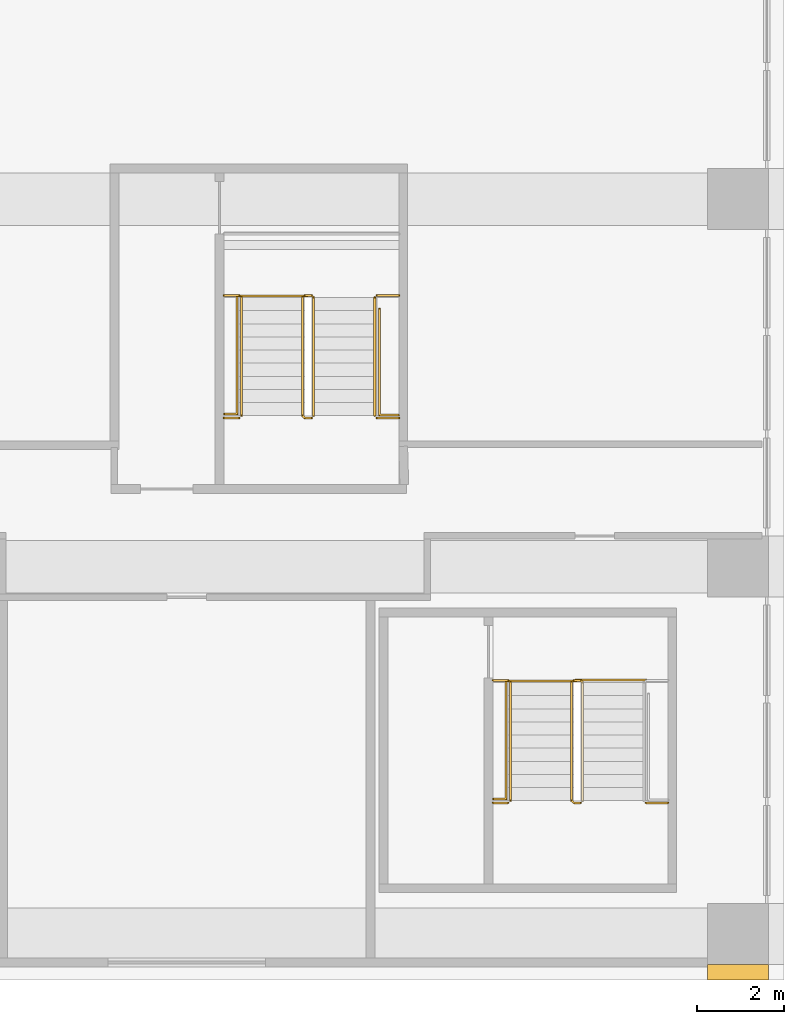
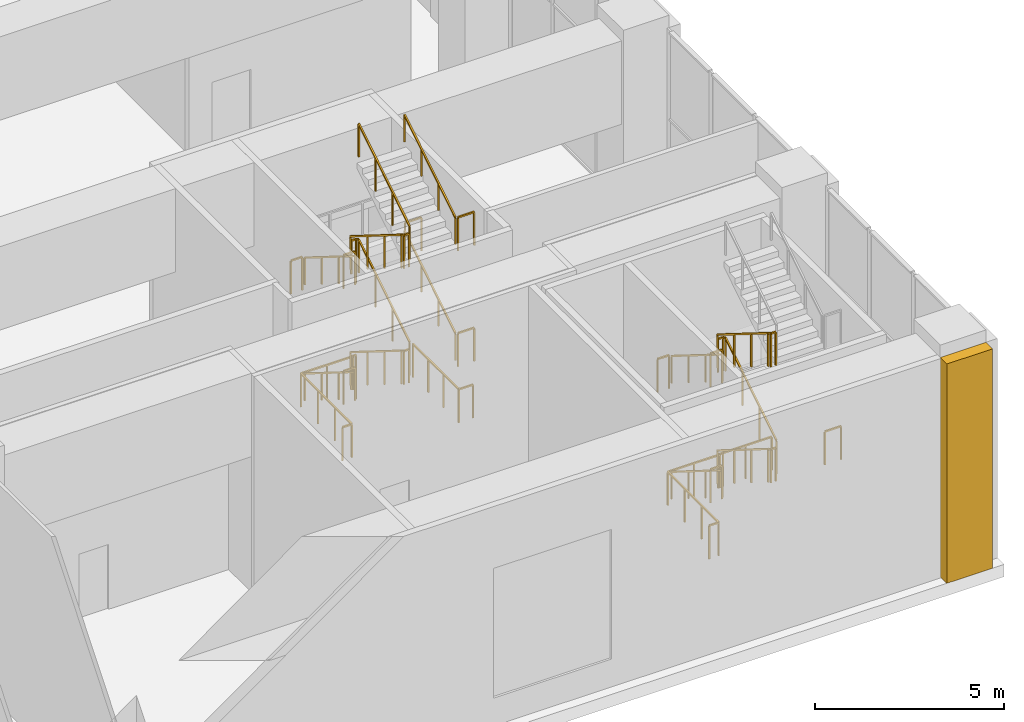
# One storey, part 26 of 29: 28 railings, 1 covering.
"""IFC4 building model written with IfcOpenShell, lengths in metres."""

from ifc_helpers import new_model, si_unit, direction, frame, origin, origin_2d, place, context, subcontext, project, spatial, polyline, rectangle, outline, extrude, material, type_object, element, save


model = new_model("IFC4")

# Units and contexts
model_context = context("Model", 3, precision=1e-05, world=origin(), true_north=direction((0.0, 1.0)))
body_context = subcontext(model_context, "Body", "Model", "MODEL_VIEW")
ifc_project = project(units=[si_unit("LENGTHUNIT", "METRE"), si_unit("AREAUNIT", "SQUARE_METRE"), si_unit("VOLUMEUNIT", "CUBIC_METRE"), si_unit("PLANEANGLEUNIT", "RADIAN"), si_unit("MASSUNIT", "GRAM", prefix="KILO")], contexts=[model_context])

# Site, building, storey
site_placement = place(None, origin())
site = spatial("IfcSite", under=ifc_project, at=site_placement, CompositionType="ELEMENT")
building_placement = place(site_placement, origin())
building = spatial("IfcBuilding", under=site, at=building_placement, Name="Vermilion Ogive Tower", CompositionType="ELEMENT")
storey_placement = place(building_placement, frame((0.0, 0.0, 12.5)))
storey = spatial("IfcBuildingStorey", under=building, at=storey_placement, Name="L02", CompositionType="ELEMENT", Elevation=12.5)

# Railings
ifc_material_1 = material(Name="Steel S355 painted", Category="steel")
railing_type_1 = type_object("IfcRailingType", Name="Stair guard 1100", PredefinedType="GUARDRAIL", material=ifc_material_1)
railing_1_placement = place(storey_placement, frame((40.449951171875, -14.85009765625, 0.1875)))
element("IfcRailing", 1, at=railing_1_placement, inside=storey, type_object=railing_type_1, Name="L02 PS6 stair guard 1", PredefinedType="GUARDRAIL", context=body_context, shape_type="SweptSolid", body=[
    extrude(rectangle(XDim=0.048095703125, YDim=0.048095703125, at=origin_2d()), frame((0.0, 0.0, 1.076171875), z_axis=(0.0, -0.847993996163, 0.530005832488), x_axis=(1.0, 0.0, 0.0)), (0.0, 0.0, 1.0), 3.183837890625),
    extrude(rectangle(XDim=0.048095703125, YDim=0.048095703125, at=origin_2d()), frame((0.0, -2.699951171875, 2.763671875), z_axis=(0.707106781187, -0.707106781187, 0.0), x_axis=(0.707106781187, 0.707106781187, 0.0)), (0.0, 0.0, 1.0), 0.07080078125),
    extrude(rectangle(XDim=0.048095703125, YDim=0.048095703125, at=origin_2d()), frame((0.050048828125, -2.75, 2.763671875), z_axis=(1.0, 0.0, 0.0), x_axis=(0.0, 1.0, 0.0)), (0.0, 0.0, 1.0), 0.14990234375),
    extrude(rectangle(XDim=0.0419921875, YDim=0.0419921875, at=origin_2d()), origin(), (0.0, 0.0, 1.0), 1.052001953125),
    extrude(rectangle(XDim=0.0419921875, YDim=0.0419921875, at=origin_2d()), frame((0.0, -0.89990234375, 0.5625)), (0.0, 0.0, 1.0), 1.052001953125),
    extrude(rectangle(XDim=0.0419921875, YDim=0.0419921875, at=origin_2d()), frame((0.0, -1.800048828125, 1.125)), (0.0, 0.0, 1.0), 1.052001953125),
    extrude(rectangle(XDim=0.0419921875, YDim=0.0419921875, at=origin_2d()), frame((0.0, -2.699951171875, 1.6875)), (0.0, 0.0, 1.0), 1.052001953125),
    extrude(rectangle(XDim=0.0419921875, YDim=0.0419921875, at=origin_2d()), frame((0.050048828125, -2.75, 1.6875)), (0.0, 0.0, 1.0), 1.052001953125),
    extrude(rectangle(XDim=0.0419921875, YDim=0.0419921875, at=origin_2d()), frame((0.199951171875, -2.75, 1.6875)), (0.0, 0.0, 1.0), 1.052001953125),
])
railing_2_placement = place(storey_placement, frame((40.699951171875, -17.550048828125, 2.0625)))
element("IfcRailing", 2, at=railing_2_placement, inside=storey, type_object=railing_type_1, Name="L02 PS6 stair guard 3", PredefinedType="GUARDRAIL", context=body_context, shape_type="SweptSolid", body=[
    extrude(rectangle(XDim=0.048095703125, YDim=0.048095703125, at=origin_2d()), frame((0.0, 0.0, 1.076171875), z_axis=(0.0, 0.847993996163, 0.530005832488), x_axis=(-1.0, 0.0, 0.0)), (0.0, 0.0, 1.0), 3.183837890625),
    extrude(rectangle(XDim=0.048095703125, YDim=0.048095703125, at=origin_2d()), frame((0.0, 2.699951171875, 2.763671875), z_axis=(-0.707106781187, 0.707106781187, 0.0), x_axis=(-0.707106781187, -0.707106781187, 0.0)), (0.0, 0.0, 1.0), 0.07080078125),
    extrude(rectangle(XDim=0.048095703125, YDim=0.048095703125, at=origin_2d()), frame((-0.050048828125, 2.75, 2.763671875), z_axis=(-1.0, 0.0, 0.0), x_axis=(0.0, -1.0, 0.0)), (0.0, 0.0, 1.0), 0.14990234375),
    extrude(rectangle(XDim=0.0419921875, YDim=0.0419921875, at=origin_2d()), origin(), (0.0, 0.0, 1.0), 1.052001953125),
    extrude(rectangle(XDim=0.0419921875, YDim=0.0419921875, at=origin_2d()), frame((0.0, 0.89990234375, 0.5625)), (0.0, 0.0, 1.0), 1.052001953125),
    extrude(rectangle(XDim=0.0419921875, YDim=0.0419921875, at=origin_2d()), frame((0.0, 1.800048828125, 1.125)), (0.0, 0.0, 1.0), 1.052001953125),
    extrude(rectangle(XDim=0.0419921875, YDim=0.0419921875, at=origin_2d()), frame((0.0, 2.699951171875, 1.6875)), (0.0, 0.0, 1.0), 1.052001953125),
    extrude(rectangle(XDim=0.0419921875, YDim=0.0419921875, at=origin_2d()), frame((-0.050048828125, 2.75, 1.6875)), (0.0, 0.0, 1.0), 1.052001953125),
    extrude(rectangle(XDim=0.0419921875, YDim=0.0419921875, at=origin_2d()), frame((-0.199951171875, 2.75, 1.6875)), (0.0, 0.0, 1.0), 1.052001953125),
])
railing_3_placement = place(storey_placement, frame((40.449951171875, -14.85009765625, 3.9375)))
element("IfcRailing", 3, at=railing_3_placement, inside=storey, type_object=railing_type_1, Name="L02 PS6 stair guard 5", PredefinedType="GUARDRAIL", context=body_context, shape_type="SweptSolid", body=[
    extrude(rectangle(XDim=0.048095703125, YDim=0.048095703125, at=origin_2d()), frame((0.0, 0.0, 1.076171875), z_axis=(0.0, -0.847993996163, 0.530005832488), x_axis=(1.0, 0.0, 0.0)), (0.0, 0.0, 1.0), 3.183837890625),
    extrude(rectangle(XDim=0.048095703125, YDim=0.048095703125, at=origin_2d()), frame((0.0, -2.699951171875, 2.763671875), z_axis=(0.707106781187, -0.707106781187, 0.0), x_axis=(0.707106781187, 0.707106781187, 0.0)), (0.0, 0.0, 1.0), 0.07080078125),
    extrude(rectangle(XDim=0.048095703125, YDim=0.048095703125, at=origin_2d()), frame((0.050048828125, -2.75, 2.763671875), z_axis=(1.0, 0.0, 0.0), x_axis=(0.0, 1.0, 0.0)), (0.0, 0.0, 1.0), 0.14990234375),
    extrude(rectangle(XDim=0.0419921875, YDim=0.0419921875, at=origin_2d()), origin(), (0.0, 0.0, 1.0), 1.052001953125),
    extrude(rectangle(XDim=0.0419921875, YDim=0.0419921875, at=origin_2d()), frame((0.0, -0.89990234375, 0.5625)), (0.0, 0.0, 1.0), 1.052001953125),
    extrude(rectangle(XDim=0.0419921875, YDim=0.0419921875, at=origin_2d()), frame((0.0, -1.800048828125, 1.125)), (0.0, 0.0, 1.0), 1.052001953125),
    extrude(rectangle(XDim=0.0419921875, YDim=0.0419921875, at=origin_2d()), frame((0.0, -2.699951171875, 1.6875)), (0.0, 0.0, 1.0), 1.052001953125),
    extrude(rectangle(XDim=0.0419921875, YDim=0.0419921875, at=origin_2d()), frame((0.050048828125, -2.75, 1.6875)), (0.0, 0.0, 1.0), 1.052001953125),
    extrude(rectangle(XDim=0.0419921875, YDim=0.0419921875, at=origin_2d()), frame((0.199951171875, -2.75, 1.6875)), (0.0, 0.0, 1.0), 1.052001953125),
])
railing_4_placement = place(storey_placement, frame((40.699951171875, -17.550048828125, 5.8125)))
element("IfcRailing", 4, at=railing_4_placement, inside=storey, type_object=railing_type_1, Name="L02 PS6 stair guard 7", PredefinedType="GUARDRAIL", context=body_context, shape_type="SweptSolid", body=[
    extrude(rectangle(XDim=0.048095703125, YDim=0.048095703125, at=origin_2d()), frame((0.0, 0.0, 1.076171875), z_axis=(0.0, 0.847993996163, 0.530005832488), x_axis=(-1.0, 0.0, 0.0)), (0.0, 0.0, 1.0), 3.183837890625),
    extrude(rectangle(XDim=0.0419921875, YDim=0.0419921875, at=origin_2d()), origin(), (0.0, 0.0, 1.0), 1.052001953125),
    extrude(rectangle(XDim=0.0419921875, YDim=0.0419921875, at=origin_2d()), frame((0.0, 0.89990234375, 0.5625)), (0.0, 0.0, 1.0), 1.052001953125),
    extrude(rectangle(XDim=0.0419921875, YDim=0.0419921875, at=origin_2d()), frame((0.0, 1.800048828125, 1.125)), (0.0, 0.0, 1.0), 1.052001953125),
    extrude(rectangle(XDim=0.0419921875, YDim=0.0419921875, at=origin_2d()), frame((0.0, 2.699951171875, 1.6875)), (0.0, 0.0, 1.0), 1.052001953125),
])
railing_5_placement = place(storey_placement, frame((40.5, -14.800048828125, 0.0)))
element("IfcRailing", 5, at=railing_5_placement, inside=storey, type_object=railing_type_1, Name="L02 PS6 stair guard 8", PredefinedType="GUARDRAIL", context=body_context, shape_type="SweptSolid", body=[
    extrude(rectangle(XDim=0.048095703125, YDim=0.048095703125, at=origin_2d()), frame((0.0, 0.0, 1.076171875), z_axis=(1.0, 0.0, 0.0), x_axis=(0.0, 1.0, 0.0)), (0.0, 0.0, 1.0), 0.14990234375),
    extrude(rectangle(XDim=0.0419921875, YDim=0.0419921875, at=origin_2d()), origin(), (0.0, 0.0, 1.0), 1.052001953125),
    extrude(rectangle(XDim=0.0419921875, YDim=0.0419921875, at=origin_2d()), frame((0.14990234375, 0.0, 0.0)), (0.0, 0.0, 1.0), 1.052001953125),
])
railing_6_placement = place(storey_placement, frame((46.60009765625, -23.64990234375, 0.1875)))
element("IfcRailing", 6, at=railing_6_placement, inside=storey, type_object=railing_type_1, Name="L02 PES stair guard 1", PredefinedType="GUARDRAIL", context=body_context, shape_type="SweptSolid", body=[
    extrude(rectangle(XDim=0.048095703125, YDim=0.048095703125, at=origin_2d()), frame((0.0, 0.0, 1.076171875), z_axis=(0.0, -0.848015533692, 0.529971371508), x_axis=(1.0, 0.0, 0.0)), (0.0, 0.0, 1.0), 3.18408203125),
    extrude(rectangle(XDim=0.048095703125, YDim=0.048095703125, at=origin_2d()), frame((0.0, -2.7001953125, 2.763671875), z_axis=(0.707106781187, -0.707106781187, 0.0), x_axis=(0.707106781187, 0.707106781187, 0.0)), (0.0, 0.0, 1.0), 0.0703125),
    extrude(rectangle(XDim=0.048095703125, YDim=0.048095703125, at=origin_2d()), frame((0.0498046875, -2.75, 2.763671875), z_axis=(1.0, 0.0, 0.0), x_axis=(0.0, 1.0, 0.0)), (0.0, 0.0, 1.0), 0.150146484375),
    extrude(rectangle(XDim=0.0419921875, YDim=0.0419921875, at=origin_2d()), origin(), (0.0, 0.0, 1.0), 1.052001953125),
    extrude(rectangle(XDim=0.0419921875, YDim=0.0419921875, at=origin_2d()), frame((0.0, -0.900146484375, 0.5625)), (0.0, 0.0, 1.0), 1.052001953125),
    extrude(rectangle(XDim=0.0419921875, YDim=0.0419921875, at=origin_2d()), frame((0.0, -1.800048828125, 1.125)), (0.0, 0.0, 1.0), 1.052001953125),
    extrude(rectangle(XDim=0.0419921875, YDim=0.0419921875, at=origin_2d()), frame((0.0, -2.7001953125, 1.6875)), (0.0, 0.0, 1.0), 1.052001953125),
    extrude(rectangle(XDim=0.0419921875, YDim=0.0419921875, at=origin_2d()), frame((0.0498046875, -2.75, 1.6875)), (0.0, 0.0, 1.0), 1.052001953125),
    extrude(rectangle(XDim=0.0419921875, YDim=0.0419921875, at=origin_2d()), frame((0.199951171875, -2.75, 1.6875)), (0.0, 0.0, 1.0), 1.052001953125),
])
railing_7_placement = place(storey_placement, frame((46.85009765625, -26.35009765625, 2.0625)))
element("IfcRailing", 7, at=railing_7_placement, inside=storey, type_object=railing_type_1, Name="L02 PES stair guard 3", PredefinedType="GUARDRAIL", context=body_context, shape_type="SweptSolid", body=[
    extrude(rectangle(XDim=0.048095703125, YDim=0.048095703125, at=origin_2d()), frame((0.0, 0.0, 1.076171875), z_axis=(0.0, 0.848015533692, 0.529971371508), x_axis=(-1.0, 0.0, 0.0)), (0.0, 0.0, 1.0), 3.18408203125),
    extrude(rectangle(XDim=0.048095703125, YDim=0.048095703125, at=origin_2d()), frame((0.0, 2.7001953125, 2.763671875), z_axis=(-0.708833529934, 0.705375805398, 0.0), x_axis=(-0.705375805398, -0.708833529934, 0.0)), (0.0, 0.0, 1.0), 0.070556640625),
    extrude(rectangle(XDim=0.048095703125, YDim=0.048095703125, at=origin_2d()), frame((-0.050048828125, 2.75, 2.763671875), z_axis=(-1.0, 0.0, 0.0), x_axis=(0.0, -1.0, 0.0)), (0.0, 0.0, 1.0), 0.150146484375),
    extrude(rectangle(XDim=0.0419921875, YDim=0.0419921875, at=origin_2d()), origin(), (0.0, 0.0, 1.0), 1.052001953125),
    extrude(rectangle(XDim=0.0419921875, YDim=0.0419921875, at=origin_2d()), frame((0.0, 0.900146484375, 0.5625)), (0.0, 0.0, 1.0), 1.052001953125),
    extrude(rectangle(XDim=0.0419921875, YDim=0.0419921875, at=origin_2d()), frame((0.0, 1.800048828125, 1.125)), (0.0, 0.0, 1.0), 1.052001953125),
    extrude(rectangle(XDim=0.0419921875, YDim=0.0419921875, at=origin_2d()), frame((0.0, 2.7001953125, 1.6875)), (0.0, 0.0, 1.0), 1.052001953125),
    extrude(rectangle(XDim=0.0419921875, YDim=0.0419921875, at=origin_2d()), frame((-0.050048828125, 2.75, 1.6875)), (0.0, 0.0, 1.0), 1.052001953125),
    extrude(rectangle(XDim=0.0419921875, YDim=0.0419921875, at=origin_2d()), frame((-0.2001953125, 2.75, 1.6875)), (0.0, 0.0, 1.0), 1.052001953125),
])
railing_8_placement = place(storey_placement, frame((46.60009765625, -23.64990234375, 3.9375)))
element("IfcRailing", 8, at=railing_8_placement, inside=storey, type_object=railing_type_1, Name="L02 PES stair guard 5", PredefinedType="GUARDRAIL", context=body_context, shape_type="SweptSolid", body=[
    extrude(rectangle(XDim=0.048095703125, YDim=0.048095703125, at=origin_2d()), frame((0.0, 0.0, 1.076171875), z_axis=(0.0, -0.848015533692, 0.529971371508), x_axis=(1.0, 0.0, 0.0)), (0.0, 0.0, 1.0), 3.18408203125),
    extrude(rectangle(XDim=0.048095703125, YDim=0.048095703125, at=origin_2d()), frame((0.0, -2.7001953125, 2.763671875), z_axis=(0.707106781187, -0.707106781187, 0.0), x_axis=(0.707106781187, 0.707106781187, 0.0)), (0.0, 0.0, 1.0), 0.0703125),
    extrude(rectangle(XDim=0.048095703125, YDim=0.048095703125, at=origin_2d()), frame((0.0498046875, -2.75, 2.763671875), z_axis=(1.0, 0.0, 0.0), x_axis=(0.0, 1.0, 0.0)), (0.0, 0.0, 1.0), 0.150146484375),
    extrude(rectangle(XDim=0.0419921875, YDim=0.0419921875, at=origin_2d()), origin(), (0.0, 0.0, 1.0), 1.052001953125),
    extrude(rectangle(XDim=0.0419921875, YDim=0.0419921875, at=origin_2d()), frame((0.0, -0.900146484375, 0.5625)), (0.0, 0.0, 1.0), 1.052001953125),
    extrude(rectangle(XDim=0.0419921875, YDim=0.0419921875, at=origin_2d()), frame((0.0, -1.800048828125, 1.125)), (0.0, 0.0, 1.0), 1.052001953125),
    extrude(rectangle(XDim=0.0419921875, YDim=0.0419921875, at=origin_2d()), frame((0.0, -2.7001953125, 1.6875)), (0.0, 0.0, 1.0), 1.052001953125),
    extrude(rectangle(XDim=0.0419921875, YDim=0.0419921875, at=origin_2d()), frame((0.0498046875, -2.75, 1.6875)), (0.0, 0.0, 1.0), 1.052001953125),
    extrude(rectangle(XDim=0.0419921875, YDim=0.0419921875, at=origin_2d()), frame((0.199951171875, -2.75, 1.6875)), (0.0, 0.0, 1.0), 1.052001953125),
])
railing_9_placement = place(storey_placement, frame((46.64990234375, -23.60009765625, 0.0)))
element("IfcRailing", 9, at=railing_9_placement, inside=storey, type_object=railing_type_1, Name="L02 PES stair guard 8", PredefinedType="GUARDRAIL", context=body_context, shape_type="SweptSolid", body=[
    extrude(rectangle(XDim=0.048095703125, YDim=0.048095703125, at=origin_2d()), frame((0.0, 0.0, 1.076171875), z_axis=(1.0, 0.0, 0.0), x_axis=(0.0, 1.0, 0.0)), (0.0, 0.0, 1.0), 0.150146484375),
    extrude(rectangle(XDim=0.0419921875, YDim=0.0419921875, at=origin_2d()), origin(), (0.0, 0.0, 1.0), 1.052001953125),
    extrude(rectangle(XDim=0.0419921875, YDim=0.0419921875, at=origin_2d()), frame((0.150146484375, 0.0, 0.0)), (0.0, 0.0, 1.0), 1.052001953125),
])
railing_10_placement = place(storey_placement, frame((38.650146484375, -17.60009765625, 1.875)))
element("IfcRailing", 10, at=railing_10_placement, inside=storey, type_object=railing_type_1, Name="L02 landing guard", PredefinedType="GUARDRAIL", context=body_context, shape_type="SweptSolid", body=[
    extrude(rectangle(XDim=0.048095703125, YDim=0.048095703125, at=origin_2d()), frame((0.0, 0.0, 1.076171875), z_axis=(1.0, 0.0, 0.0), x_axis=(0.0, 1.0, 0.0)), (0.0, 0.0, 1.0), 0.349853515625),
    extrude(rectangle(XDim=0.0419921875, YDim=0.0419921875, at=origin_2d()), origin(), (0.0, 0.0, 1.0), 1.052001953125),
    extrude(rectangle(XDim=0.0419921875, YDim=0.0419921875, at=origin_2d()), frame((0.349853515625, 0.0, 0.0)), (0.0, 0.0, 1.0), 1.052001953125),
])
railing_11_placement = place(storey_placement, frame((42.14990234375, -17.60009765625, 1.875)))
element("IfcRailing", 11, at=railing_11_placement, inside=storey, type_object=railing_type_1, Name="L02 landing guard", PredefinedType="GUARDRAIL", context=body_context, shape_type="SweptSolid", body=[
    extrude(rectangle(XDim=0.048095703125, YDim=0.048095703125, at=origin_2d()), frame((0.0, 0.0, 1.076171875), z_axis=(1.0, 0.0, 0.0), x_axis=(0.0, 1.0, 0.0)), (0.0, 0.0, 1.0), 0.5),
    extrude(rectangle(XDim=0.0419921875, YDim=0.0419921875, at=origin_2d()), origin(), (0.0, 0.0, 1.0), 1.052001953125),
    extrude(rectangle(XDim=0.0419921875, YDim=0.0419921875, at=origin_2d()), frame((0.5, 0.0, 0.0)), (0.0, 0.0, 1.0), 1.052001953125),
])
railing_12_placement = place(storey_placement, frame((38.650146484375, -14.800048828125, 3.75)))
element("IfcRailing", 12, at=railing_12_placement, inside=storey, type_object=railing_type_1, Name="L02 landing guard", PredefinedType="GUARDRAIL", context=body_context, shape_type="SweptSolid", body=[
    extrude(rectangle(XDim=0.048095703125, YDim=0.048095703125, at=origin_2d()), frame((0.0, 0.0, 1.076171875), z_axis=(1.0, 0.0, 0.0), x_axis=(0.0, 1.0, 0.0)), (0.0, 0.0, 1.0), 0.349853515625),
    extrude(rectangle(XDim=0.0419921875, YDim=0.0419921875, at=origin_2d()), origin(), (0.0, 0.0, 1.0), 1.052001953125),
    extrude(rectangle(XDim=0.0419921875, YDim=0.0419921875, at=origin_2d()), frame((0.349853515625, 0.0, 0.0)), (0.0, 0.0, 1.0), 1.052001953125),
])
railing_13_placement = place(storey_placement, frame((42.14990234375, -14.800048828125, 3.75)))
element("IfcRailing", 13, at=railing_13_placement, inside=storey, type_object=railing_type_1, Name="L02 landing guard", PredefinedType="GUARDRAIL", context=body_context, shape_type="SweptSolid", body=[
    extrude(rectangle(XDim=0.048095703125, YDim=0.048095703125, at=origin_2d()), frame((0.0, 0.0, 1.076171875), z_axis=(1.0, 0.0, 0.0), x_axis=(0.0, 1.0, 0.0)), (0.0, 0.0, 1.0), 0.5),
    extrude(rectangle(XDim=0.0419921875, YDim=0.0419921875, at=origin_2d()), origin(), (0.0, 0.0, 1.0), 1.052001953125),
    extrude(rectangle(XDim=0.0419921875, YDim=0.0419921875, at=origin_2d()), frame((0.5, 0.0, 0.0)), (0.0, 0.0, 1.0), 1.052001953125),
])
railing_14_placement = place(storey_placement, frame((38.650146484375, -17.60009765625, 5.625)))
element("IfcRailing", 14, at=railing_14_placement, inside=storey, type_object=railing_type_1, Name="L02 landing guard", PredefinedType="GUARDRAIL", context=body_context, shape_type="SweptSolid", body=[
    extrude(rectangle(XDim=0.048095703125, YDim=0.048095703125, at=origin_2d()), frame((0.0, 0.0, 1.076171875), z_axis=(1.0, 0.0, 0.0), x_axis=(0.0, 1.0, 0.0)), (0.0, 0.0, 1.0), 0.349853515625),
    extrude(rectangle(XDim=0.0419921875, YDim=0.0419921875, at=origin_2d()), origin(), (0.0, 0.0, 1.0), 1.052001953125),
    extrude(rectangle(XDim=0.0419921875, YDim=0.0419921875, at=origin_2d()), frame((0.349853515625, 0.0, 0.0)), (0.0, 0.0, 1.0), 1.052001953125),
])
railing_15_placement = place(storey_placement, frame((42.14990234375, -17.60009765625, 5.625)))
element("IfcRailing", 15, at=railing_15_placement, inside=storey, type_object=railing_type_1, Name="L02 landing guard", PredefinedType="GUARDRAIL", context=body_context, shape_type="SweptSolid", body=[
    extrude(rectangle(XDim=0.048095703125, YDim=0.048095703125, at=origin_2d()), frame((0.0, 0.0, 1.076171875), z_axis=(1.0, 0.0, 0.0), x_axis=(0.0, 1.0, 0.0)), (0.0, 0.0, 1.0), 0.5),
    extrude(rectangle(XDim=0.0419921875, YDim=0.0419921875, at=origin_2d()), origin(), (0.0, 0.0, 1.0), 1.052001953125),
    extrude(rectangle(XDim=0.0419921875, YDim=0.0419921875, at=origin_2d()), frame((0.5, 0.0, 0.0)), (0.0, 0.0, 1.0), 1.052001953125),
])
railing_16_placement = place(storey_placement, frame((44.800048828125, -26.39990234375, 1.875)))
element("IfcRailing", 16, at=railing_16_placement, inside=storey, type_object=railing_type_1, Name="L02 landing guard", PredefinedType="GUARDRAIL", context=body_context, shape_type="SweptSolid", body=[
    extrude(rectangle(XDim=0.048095703125, YDim=0.048095703125, at=origin_2d()), frame((0.0, 0.0, 1.076171875), z_axis=(1.0, 0.0, 0.0), x_axis=(0.0, 1.0, 0.0)), (0.0, 0.0, 1.0), 0.349853515625),
    extrude(rectangle(XDim=0.0419921875, YDim=0.0419921875, at=origin_2d()), origin(), (0.0, 0.0, 1.0), 1.052001953125),
    extrude(rectangle(XDim=0.0419921875, YDim=0.0419921875, at=origin_2d()), frame((0.349853515625, 0.0, 0.0)), (0.0, 0.0, 1.0), 1.052001953125),
])
railing_17_placement = place(storey_placement, frame((48.300048828125, -26.39990234375, 1.875)))
element("IfcRailing", 17, at=railing_17_placement, inside=storey, type_object=railing_type_1, Name="L02 landing guard", PredefinedType="GUARDRAIL", context=body_context, shape_type="SweptSolid", body=[
    extrude(rectangle(XDim=0.048095703125, YDim=0.048095703125, at=origin_2d()), frame((0.0, 0.0, 1.076171875), z_axis=(1.0, 0.0, 0.0), x_axis=(0.0, 1.0, 0.0)), (0.0, 0.0, 1.0), 0.499755859375),
    extrude(rectangle(XDim=0.0419921875, YDim=0.0419921875, at=origin_2d()), origin(), (0.0, 0.0, 1.0), 1.052001953125),
    extrude(rectangle(XDim=0.0419921875, YDim=0.0419921875, at=origin_2d()), frame((0.499755859375, 0.0, 0.0)), (0.0, 0.0, 1.0), 1.052001953125),
])
for number, where, name in (
    (18, (44.800048828125, -23.60009765625, 3.75), "L02 landing guard"),
    (19, (44.800048828125, -26.39990234375, 5.625), "L02 landing guard"),
):
    element("IfcRailing", number, at=place(storey_placement, frame(where)), inside=storey, type_object=railing_type_1, Name=name, PredefinedType="GUARDRAIL", context=body_context, shape_type="SweptSolid", body=[
        extrude(rectangle(XDim=0.048095703125, YDim=0.048095703125, at=origin_2d()), frame((0.0, 0.0, 1.076171875), z_axis=(1.0, 0.0, 0.0), x_axis=(0.0, 1.0, 0.0)), (0.0, 0.0, 1.0), 0.349853515625),
        extrude(rectangle(XDim=0.0419921875, YDim=0.0419921875, at=origin_2d()), origin(), (0.0, 0.0, 1.0), 1.052001953125),
        extrude(rectangle(XDim=0.0419921875, YDim=0.0419921875, at=origin_2d()), frame((0.349853515625, 0.0, 0.0)), (0.0, 0.0, 1.0), 1.052001953125),
    ])
railing_18_placement = place(storey_placement, frame((38.660888671875, -17.515625, 0.0)))
element("IfcRailing", 20, at=railing_18_placement, inside=storey, type_object=railing_type_1, Name="L02 stair opening guard", PredefinedType="GUARDRAIL", context=body_context, shape_type="SweptSolid", body=[
    extrude(rectangle(XDim=0.048095703125, YDim=0.048095703125, at=origin_2d()), frame((0.0, 0.0, 1.076171875), z_axis=(1.0, 0.0, 0.0), x_axis=(0.0, 1.0, 0.0)), (0.0, 0.0, 1.0), 0.289794921875),
    extrude(rectangle(XDim=0.048095703125, YDim=0.048095703125, at=origin_2d()), frame((0.289794921875, 0.0, 1.076171875), z_axis=(0.0, 1.0, 0.0), x_axis=(-1.0, 0.0, 0.0)), (0.0, 0.0, 1.0), 2.699951171875),
    extrude(rectangle(XDim=0.048095703125, YDim=0.048095703125, at=origin_2d()), frame((0.289794921875, 2.699951171875, 1.076171875), z_axis=(1.0, 0.0, 0.0), x_axis=(0.0, 1.0, 0.0)), (0.0, 0.0, 1.0), 1.60009765625),
    extrude(rectangle(XDim=0.0419921875, YDim=0.0419921875, at=origin_2d()), origin(), (0.0, 0.0, 1.0), 1.052001953125),
    extrude(rectangle(XDim=0.0419921875, YDim=0.0419921875, at=origin_2d()), frame((0.289794921875, 0.0, 0.0)), (0.0, 0.0, 1.0), 1.052001953125),
    extrude(rectangle(XDim=0.0419921875, YDim=0.0419921875, at=origin_2d()), frame((0.289794921875, 0.89990234375, 0.0)), (0.0, 0.0, 1.0), 1.052001953125),
    extrude(rectangle(XDim=0.0419921875, YDim=0.0419921875, at=origin_2d()), frame((0.289794921875, 1.800048828125, 0.0)), (0.0, 0.0, 1.0), 1.052001953125),
    extrude(rectangle(XDim=0.0419921875, YDim=0.0419921875, at=origin_2d()), frame((0.289794921875, 2.699951171875, 0.0)), (0.0, 0.0, 1.0), 1.052001953125),
    extrude(rectangle(XDim=0.0419921875, YDim=0.0419921875, at=origin_2d()), frame((1.08984375, 2.699951171875, 0.0)), (0.0, 0.0, 1.0), 1.052001953125),
    extrude(rectangle(XDim=0.0419921875, YDim=0.0419921875, at=origin_2d()), frame((1.889892578125, 2.699951171875, 0.0)), (0.0, 0.0, 1.0), 1.052001953125),
])
railing_19_placement = place(storey_placement, frame((42.208984375, -15.115234375, 0.0)))
element("IfcRailing", 21, at=railing_19_placement, inside=storey, type_object=railing_type_1, Name="L02 stair opening guard", PredefinedType="GUARDRAIL", context=body_context, shape_type="SweptSolid", body=[
    extrude(rectangle(XDim=0.048095703125, YDim=0.048095703125, at=origin_2d()), frame((0.0, 0.0, 1.076171875), z_axis=(0.0, -1.0, 0.0), x_axis=(1.0, 0.0, 0.0)), (0.0, 0.0, 1.0), 2.424072265625),
    extrude(rectangle(XDim=0.048095703125, YDim=0.048095703125, at=origin_2d()), frame((0.0, -2.424072265625, 1.076171875), z_axis=(1.0, 0.0, 0.0), x_axis=(0.0, 1.0, 0.0)), (0.0, 0.0, 1.0), 0.43994140625),
    extrude(rectangle(XDim=0.0419921875, YDim=0.0419921875, at=origin_2d()), origin(), (0.0, 0.0, 1.0), 1.052001953125),
    extrude(rectangle(XDim=0.0419921875, YDim=0.0419921875, at=origin_2d()), frame((0.0, -0.80810546875, 0.0)), (0.0, 0.0, 1.0), 1.052001953125),
    extrude(rectangle(XDim=0.0419921875, YDim=0.0419921875, at=origin_2d()), frame((0.0, -1.615966796875, 0.0)), (0.0, 0.0, 1.0), 1.052001953125),
    extrude(rectangle(XDim=0.0419921875, YDim=0.0419921875, at=origin_2d()), frame((0.0, -2.424072265625, 0.0)), (0.0, 0.0, 1.0), 1.052001953125),
    extrude(rectangle(XDim=0.0419921875, YDim=0.0419921875, at=origin_2d()), frame((0.43994140625, -2.424072265625, 0.0)), (0.0, 0.0, 1.0), 1.052001953125),
])
railing_20_placement = place(storey_placement, frame((44.810791015625, -26.315673828125, 0.0)))
element("IfcRailing", 22, at=railing_20_placement, inside=storey, type_object=railing_type_1, Name="L02 stair opening guard", PredefinedType="GUARDRAIL", context=body_context, shape_type="SweptSolid", body=[
    extrude(rectangle(XDim=0.048095703125, YDim=0.048095703125, at=origin_2d()), frame((0.0, 0.0, 1.076171875), z_axis=(1.0, 0.0, 0.0), x_axis=(0.0, 1.0, 0.0)), (0.0, 0.0, 1.0), 0.289794921875),
    extrude(rectangle(XDim=0.048095703125, YDim=0.048095703125, at=origin_2d()), frame((0.289794921875, 0.0, 1.076171875), z_axis=(0.0, 1.0, 0.0), x_axis=(-1.0, 0.0, 0.0)), (0.0, 0.0, 1.0), 2.7001953125),
    extrude(rectangle(XDim=0.048095703125, YDim=0.048095703125, at=origin_2d()), frame((0.289794921875, 2.7001953125, 1.076171875), z_axis=(1.0, 0.0, 0.0), x_axis=(0.0, 1.0, 0.0)), (0.0, 0.0, 1.0), 1.600341796875),
    extrude(rectangle(XDim=0.048095703125, YDim=0.048095703125, at=origin_2d()), frame((1.89013671875, 2.7001953125, 1.076171875), z_axis=(-0.038067625343, 0.999275165258, 0.0), x_axis=(-0.999275165258, -0.038067625343, 0.0)), (0.0, 0.0, 1.0), 0.025634765625),
    extrude(rectangle(XDim=0.048095703125, YDim=0.048095703125, at=origin_2d()), frame((1.88916015625, 2.725830078125, 1.076171875), z_axis=(1.0, 0.0, 0.0), x_axis=(0.0, 1.0, 0.0)), (0.0, 0.0, 1.0), 1.60009765625),
    extrude(rectangle(XDim=0.0419921875, YDim=0.0419921875, at=origin_2d()), origin(), (0.0, 0.0, 1.0), 1.052001953125),
    extrude(rectangle(XDim=0.0419921875, YDim=0.0419921875, at=origin_2d()), frame((0.289794921875, 0.0, 0.0)), (0.0, 0.0, 1.0), 1.052001953125),
    extrude(rectangle(XDim=0.0419921875, YDim=0.0419921875, at=origin_2d()), frame((0.289794921875, 0.900146484375, 0.0)), (0.0, 0.0, 1.0), 1.052001953125),
    extrude(rectangle(XDim=0.0419921875, YDim=0.0419921875, at=origin_2d()), frame((0.289794921875, 1.800048828125, 0.0)), (0.0, 0.0, 1.0), 1.052001953125),
    extrude(rectangle(XDim=0.0419921875, YDim=0.0419921875, at=origin_2d()), frame((0.289794921875, 2.7001953125, 0.0)), (0.0, 0.0, 1.0), 1.052001953125),
    extrude(rectangle(XDim=0.0419921875, YDim=0.0419921875, at=origin_2d()), frame((1.08984375, 2.7001953125, 0.0)), (0.0, 0.0, 1.0), 1.052001953125),
    extrude(rectangle(XDim=0.0419921875, YDim=0.0419921875, at=origin_2d()), frame((1.89013671875, 2.7001953125, 0.0)), (0.0, 0.0, 1.0), 1.052001953125),
    extrude(rectangle(XDim=0.0419921875, YDim=0.0419921875, at=origin_2d()), frame((1.88916015625, 2.725830078125, 0.0)), (0.0, 0.0, 1.0), 1.052001953125),
    extrude(rectangle(XDim=0.0419921875, YDim=0.0419921875, at=origin_2d()), frame((2.689208984375, 2.725830078125, 0.0)), (0.0, 0.0, 1.0), 1.052001953125),
    extrude(rectangle(XDim=0.0419921875, YDim=0.0419921875, at=origin_2d()), frame((3.4892578125, 2.725830078125, 0.0)), (0.0, 0.0, 1.0), 1.052001953125),
])
ifc_material_2 = material(Name="Stainless steel", Category="steel")
railing_type_2 = type_object("IfcRailingType", Name="Stair handrail 900", PredefinedType="HANDRAIL", material=ifc_material_2)
railing_21_placement = place(storey_placement, frame((39.050048828125, -14.85009765625, 0.1875)))
element("IfcRailing", 23, at=railing_21_placement, inside=storey, type_object=railing_type_2, Name="L02 PS6 stair handrail 1", PredefinedType="HANDRAIL", context=body_context, shape_type="SweptSolid", body=[
    extrude(rectangle(XDim=0.048095703125, YDim=0.048095703125, at=origin_2d()), frame((0.0, 0.0, 0.8759765625), z_axis=(0.0, -0.847993996163, 0.530005832488), x_axis=(1.0, 0.0, 0.0)), (0.0, 0.0, 1.0), 3.183837890625),
    extrude(rectangle(XDim=0.0419921875, YDim=0.0419921875, at=origin_2d()), origin(), (0.0, 0.0, 1.0), 0.851806640625),
    extrude(rectangle(XDim=0.0419921875, YDim=0.0419921875, at=origin_2d()), frame((0.0, -0.89990234375, 0.5625)), (0.0, 0.0, 1.0), 0.851806640625),
    extrude(rectangle(XDim=0.0419921875, YDim=0.0419921875, at=origin_2d()), frame((0.0, -1.800048828125, 1.125)), (0.0, 0.0, 1.0), 0.851806640625),
    extrude(rectangle(XDim=0.0419921875, YDim=0.0419921875, at=origin_2d()), frame((0.0, -2.699951171875, 1.6875)), (0.0, 0.0, 1.0), 0.851806640625),
])
railing_22_placement = place(storey_placement, frame((42.10009765625, -17.550048828125, 2.0625)))
element("IfcRailing", 24, at=railing_22_placement, inside=storey, type_object=railing_type_2, Name="L02 PS6 stair handrail 2", PredefinedType="HANDRAIL", context=body_context, shape_type="SweptSolid", body=[
    extrude(rectangle(XDim=0.048095703125, YDim=0.048095703125, at=origin_2d()), frame((0.0, 0.0, 0.8759765625), z_axis=(0.0, 0.847993996163, 0.530005832488), x_axis=(-1.0, 0.0, 0.0)), (0.0, 0.0, 1.0), 3.183837890625),
    extrude(rectangle(XDim=0.0419921875, YDim=0.0419921875, at=origin_2d()), origin(), (0.0, 0.0, 1.0), 0.851806640625),
    extrude(rectangle(XDim=0.0419921875, YDim=0.0419921875, at=origin_2d()), frame((0.0, 0.89990234375, 0.5625)), (0.0, 0.0, 1.0), 0.851806640625),
    extrude(rectangle(XDim=0.0419921875, YDim=0.0419921875, at=origin_2d()), frame((0.0, 1.800048828125, 1.125)), (0.0, 0.0, 1.0), 0.851806640625),
    extrude(rectangle(XDim=0.0419921875, YDim=0.0419921875, at=origin_2d()), frame((0.0, 2.699951171875, 1.6875)), (0.0, 0.0, 1.0), 0.851806640625),
])
railing_23_placement = place(storey_placement, frame((39.050048828125, -14.85009765625, 3.9375)))
element("IfcRailing", 25, at=railing_23_placement, inside=storey, type_object=railing_type_2, Name="L02 PS6 stair handrail 3", PredefinedType="HANDRAIL", context=body_context, shape_type="SweptSolid", body=[
    extrude(rectangle(XDim=0.048095703125, YDim=0.048095703125, at=origin_2d()), frame((0.0, 0.0, 0.8759765625), z_axis=(0.0, -0.847993996163, 0.530005832488), x_axis=(1.0, 0.0, 0.0)), (0.0, 0.0, 1.0), 3.183837890625),
    extrude(rectangle(XDim=0.0419921875, YDim=0.0419921875, at=origin_2d()), origin(), (0.0, 0.0, 1.0), 0.851806640625),
    extrude(rectangle(XDim=0.0419921875, YDim=0.0419921875, at=origin_2d()), frame((0.0, -0.89990234375, 0.5625)), (0.0, 0.0, 1.0), 0.851806640625),
    extrude(rectangle(XDim=0.0419921875, YDim=0.0419921875, at=origin_2d()), frame((0.0, -1.800048828125, 1.125)), (0.0, 0.0, 1.0), 0.851806640625),
    extrude(rectangle(XDim=0.0419921875, YDim=0.0419921875, at=origin_2d()), frame((0.0, -2.699951171875, 1.6875)), (0.0, 0.0, 1.0), 0.851806640625),
])
railing_24_placement = place(storey_placement, frame((42.10009765625, -17.550048828125, 5.8125)))
element("IfcRailing", 26, at=railing_24_placement, inside=storey, type_object=railing_type_2, Name="L02 PS6 stair handrail 4", PredefinedType="HANDRAIL", context=body_context, shape_type="SweptSolid", body=[
    extrude(rectangle(XDim=0.048095703125, YDim=0.048095703125, at=origin_2d()), frame((0.0, 0.0, 0.8759765625), z_axis=(0.0, 0.847993996163, 0.530005832488), x_axis=(-1.0, 0.0, 0.0)), (0.0, 0.0, 1.0), 3.183837890625),
    extrude(rectangle(XDim=0.0419921875, YDim=0.0419921875, at=origin_2d()), origin(), (0.0, 0.0, 1.0), 0.851806640625),
    extrude(rectangle(XDim=0.0419921875, YDim=0.0419921875, at=origin_2d()), frame((0.0, 0.89990234375, 0.5625)), (0.0, 0.0, 1.0), 0.851806640625),
    extrude(rectangle(XDim=0.0419921875, YDim=0.0419921875, at=origin_2d()), frame((0.0, 1.800048828125, 1.125)), (0.0, 0.0, 1.0), 0.851806640625),
    extrude(rectangle(XDim=0.0419921875, YDim=0.0419921875, at=origin_2d()), frame((0.0, 2.699951171875, 1.6875)), (0.0, 0.0, 1.0), 0.851806640625),
])
for number, where, name in (
    (27, (45.199951171875, -23.64990234375, 0.1875), "L02 PES stair handrail 1"),
    (28, (45.199951171875, -23.64990234375, 3.9375), "L02 PES stair handrail 3"),
):
    element("IfcRailing", number, at=place(storey_placement, frame(where)), inside=storey, type_object=railing_type_2, Name=name, PredefinedType="HANDRAIL", context=body_context, shape_type="SweptSolid", body=[
        extrude(rectangle(XDim=0.048095703125, YDim=0.048095703125, at=origin_2d()), frame((0.0, 0.0, 0.8759765625), z_axis=(0.0, -0.848015533692, 0.529971371508), x_axis=(1.0, 0.0, 0.0)), (0.0, 0.0, 1.0), 3.18408203125),
        extrude(rectangle(XDim=0.0419921875, YDim=0.0419921875, at=origin_2d()), origin(), (0.0, 0.0, 1.0), 0.851806640625),
        extrude(rectangle(XDim=0.0419921875, YDim=0.0419921875, at=origin_2d()), frame((0.0, -0.900146484375, 0.5625)), (0.0, 0.0, 1.0), 0.851806640625),
        extrude(rectangle(XDim=0.0419921875, YDim=0.0419921875, at=origin_2d()), frame((0.0, -1.800048828125, 1.125)), (0.0, 0.0, 1.0), 0.851806640625),
        extrude(rectangle(XDim=0.0419921875, YDim=0.0419921875, at=origin_2d()), frame((0.0, -2.7001953125, 1.6875)), (0.0, 0.0, 1.0), 0.851806640625),
    ])

# Covering
ifc_material_3 = material(Name="Stone cladding", Category="masonry")
covering_type = type_object("IfcCoveringType", Name="Stone pier", PredefinedType="CLADDING", material=ifc_material_3)
covering_placement = place(storey_placement, origin())
element("IfcCovering", 29, at=covering_placement, inside=storey, type_object=covering_type, Name="Stone pier P+504-294S", PredefinedType="CLADDING", context=body_context, shape_type="SweptSolid", body=[
    extrude(outline(polyline([(51.10009765625, -30.10009765625), (51.10009765625, -30.449951171875), (49.699951171875, -30.449951171875), (49.699951171875, -30.10009765625), (49.699951171875, -30.10009765625), (51.10009765625, -30.10009765625)])), origin(), (0.0, 0.0, 1.0), 7.10009765625),
])

save(model, "model.ifc")
